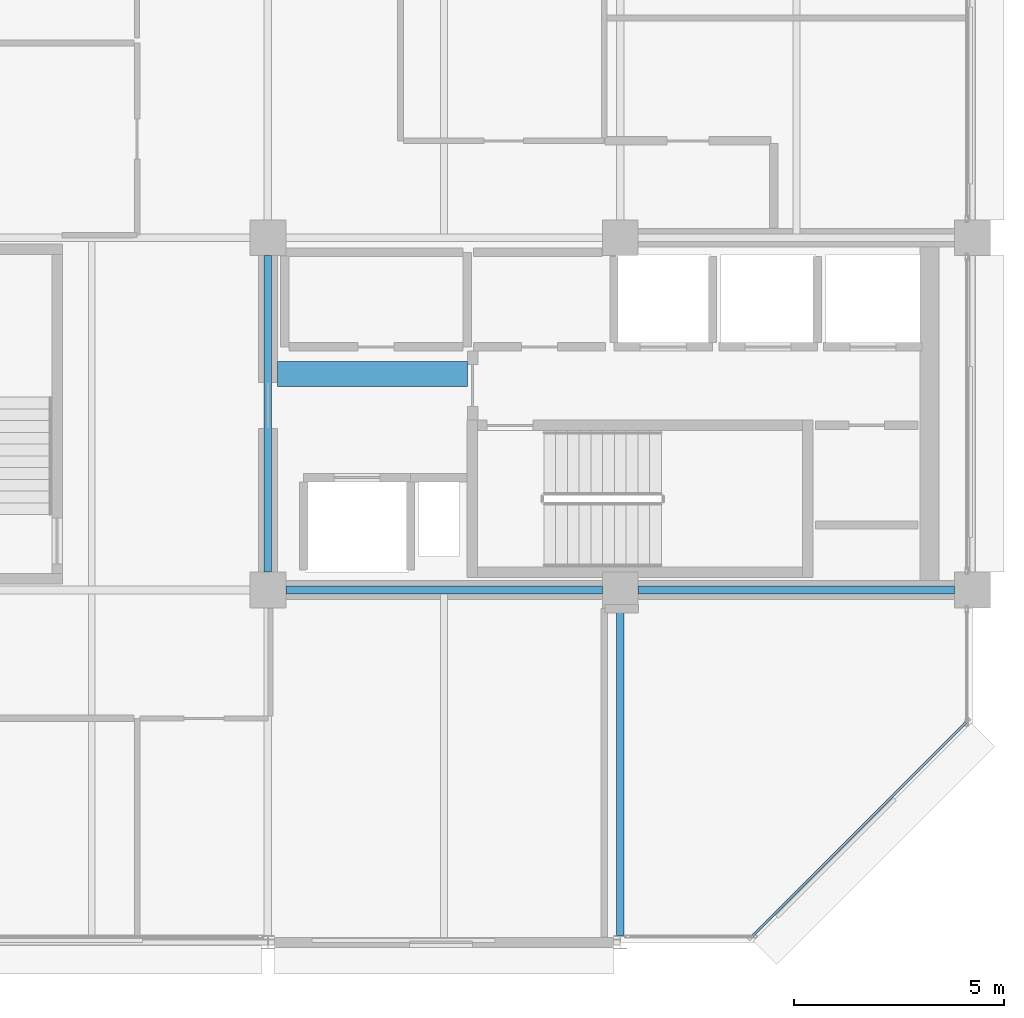
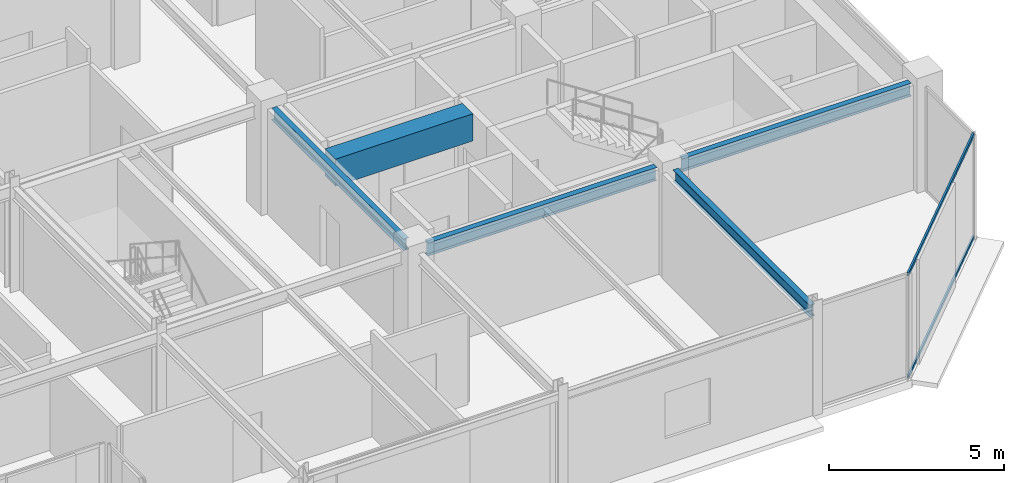
# One storey, part 8 of 25: 5 beams, 2 members, 1 element without a shape of its own.
"""IFC4 building model written with IfcOpenShell, lengths in metres."""

import ifcopenshell
import ifcopenshell.guid

model = None  # the IFC model being written
_history = None  # IfcOwnerHistory: only IFC2X3 demands one
_inside = {}  # id of a spatial element -> (the spatial element, [elements in it])
_under = {}  # id of a project, library or spatial element -> (it, [spatial elements below it])
_declared = {}  # id of a project -> (the project, [libraries it declares])
_typed = {}  # id of a type object -> (the type object, [elements of that type])
_made_of = {}  # id of a material, layer set ... -> (it, [elements and type objects made of it])


def new_model(schema):
    """Start an empty IFC model of exactly this schema.

    Asked for "IFC4X3", IfcOpenShell would pick the latest addendum, in which some entities
    have other attributes; the version numbers below select the first issue.
    IFC2X3 requires an IfcOwnerHistory on every rooted entity: one is made here for all.
    """
    global model, _history
    if schema == "IFC4X3":
        model = ifcopenshell.file(schema_version=(4, 3, 0, 0))
    else:
        model = ifcopenshell.file(schema=schema)
    _inside.clear()
    _under.clear()
    _declared.clear()
    _typed.clear()
    _made_of.clear()
    _history = None
    if model.schema == "IFC2X3":
        org = make("IfcOrganization", Name="unknown")
        user = make(
            "IfcPersonAndOrganization",
            ThePerson=make("IfcPerson", FamilyName="unknown"),
            TheOrganization=org,
        )
        app = make(
            "IfcApplication",
            ApplicationDeveloper=org,
            Version="unknown",
            ApplicationFullName="unknown",
            ApplicationIdentifier="unknown",
        )
        _history = make(
            "IfcOwnerHistory",
            OwningUser=user,
            OwningApplication=app,
            ChangeAction="ADDED",
            CreationDate=0,
        )
    return model


def make(cls, **values):
    """One entity of the class cls with the attributes given. An attribute that is None is left unset."""
    return model.create_entity(
        cls, **{name: value for name, value in values.items() if value is not None}
    )


def rooted(cls, **values):
    """An entity with a GlobalId (a new one), such as an element, a storey or a relation."""
    return make(cls, GlobalId=ifcopenshell.guid.new(), OwnerHistory=_history, **values)


def si_unit(unit_type, name, prefix=None):
    """IfcSIUnit, for example si_unit("LENGTHUNIT", "METRE", prefix="MILLI")."""
    return make("IfcSIUnit", UnitType=unit_type, Prefix=prefix, Name=name)


def assignment(units):
    """IfcUnitAssignment: the units of a project."""
    return None if units is None else make("IfcUnitAssignment", Units=units)


def point(xyz):
    """IfcCartesianPoint."""
    return None if xyz is None else make("IfcCartesianPoint", Coordinates=xyz)


def direction(xyz):
    """IfcDirection."""
    return None if xyz is None else make("IfcDirection", DirectionRatios=xyz)


def frame(location, z_axis=None, x_axis=None):
    """IfcAxis2Placement3D, a coordinate frame: its origin and axes. An axis left out is left unset."""
    return make(
        "IfcAxis2Placement3D",
        Location=point(location),
        Axis=direction(z_axis),
        RefDirection=direction(x_axis),
    )


def frame_2d(location, x_axis=None):
    """IfcAxis2Placement2D, a coordinate frame in the plane: its origin and x axis."""
    return make(
        "IfcAxis2Placement2D", Location=point(location), RefDirection=direction(x_axis)
    )


def origin():
    """The frame at (0, 0, 0) with its axes left unset."""
    return frame((0.0, 0.0, 0.0))


def origin_2d():
    """The frame at (0, 0) in the plane with its x axis left unset."""
    return frame_2d((0.0, 0.0))


def place(relative_to, where):
    """IfcLocalPlacement: puts the frame where relative to a parent placement (None: the world)."""
    return make(
        "IfcLocalPlacement", PlacementRelTo=relative_to, RelativePlacement=where
    )


def context(
    kind, dimensions, precision=None, world=None, true_north=None, identifier=None
):
    """IfcGeometricRepresentationContext, for example the 3D "Model" context."""
    return make(
        "IfcGeometricRepresentationContext",
        ContextIdentifier=identifier,
        ContextType=kind,
        CoordinateSpaceDimension=dimensions,
        Precision=precision,
        WorldCoordinateSystem=world,
        TrueNorth=true_north,
    )


def subcontext(parent, identifier, kind, view, scale=None):
    """IfcGeometricRepresentationSubContext, for example "Body" below "Model"."""
    return make(
        "IfcGeometricRepresentationSubContext",
        ContextIdentifier=identifier,
        ContextType=kind,
        ParentContext=parent,
        TargetScale=scale,
        TargetView=view,
    )


def project(units=None, contexts=None):
    """IfcProject with its units and contexts."""
    return rooted(
        "IfcProject",
        Name="project",
        RepresentationContexts=contexts,
        UnitsInContext=assignment(units),
    )


def spatial(cls, under=None, at=None, **own):
    """A site, building, storey or space (cls), placed at a placement, below another one or the project."""
    s = rooted(cls, ObjectPlacement=at, **own)
    if under is not None:
        _under.setdefault(under.id(), (under, []))[1].append(s)
    return s


def profile(cls, at=None, kind="AREA", **sizes):
    """A parametric profile (cls). Its sizes go by their IFC names, for example OverallWidth=200.0."""
    return make(cls, ProfileType=kind, Position=at, **sizes)


def rectangle(**sizes):
    """IfcRectangleProfileDef."""
    return profile("IfcRectangleProfileDef", **sizes)


def hollow_rectangle(**sizes):
    """IfcRectangleHollowProfileDef."""
    return profile("IfcRectangleHollowProfileDef", **sizes)


def i_section(**sizes):
    """IfcIShapeProfileDef."""
    return profile("IfcIShapeProfileDef", **sizes)


def extrude(swept, where, along, depth):
    """IfcExtrudedAreaSolid: the profile swept, set in the frame where, extruded along a direction by depth."""
    return make(
        "IfcExtrudedAreaSolid",
        SweptArea=swept,
        Position=where,
        ExtrudedDirection=direction(along),
        Depth=depth,
    )


def shape(context_of_items, identifier, shape_type, items):
    """IfcShapeRepresentation: the items that make up one representation, for example the "Body"."""
    return make(
        "IfcShapeRepresentation",
        ContextOfItems=context_of_items,
        RepresentationIdentifier=identifier,
        RepresentationType=shape_type,
        Items=items,
    )


def material(Name=None, Category=None):
    """IfcMaterial."""
    return make("IfcMaterial", Name=Name, Category=Category)


def layer(
    of_material, thickness, ventilated=None, Name=None, Category=None, Priority=None
):
    """IfcMaterialLayer: one layer of a wall or slab, of a material (None: an air gap)."""
    return make(
        "IfcMaterialLayer",
        Material=of_material,
        LayerThickness=thickness,
        IsVentilated=ventilated,
        Name=Name,
        Category=Category,
        Priority=Priority,
    )


def layer_set(layers, Name=None):
    """IfcMaterialLayerSet."""
    return make("IfcMaterialLayerSet", MaterialLayers=layers, LayerSetName=Name)


def material_profile(
    of_material, cross_section, Name=None, Category=None, Priority=None
):
    """IfcMaterialProfile: a cross section and its material."""
    return make(
        "IfcMaterialProfile",
        Name=Name,
        Material=of_material,
        Profile=cross_section,
        Priority=Priority,
        Category=Category,
    )


def profile_set(profiles, Name=None, composite=None):
    """IfcMaterialProfileSet."""
    return make(
        "IfcMaterialProfileSet",
        Name=Name,
        MaterialProfiles=profiles,
        CompositeProfile=composite,
    )


def made_of(thing, what):
    """Note that an element or type object is made of a material, layer set ...; save() writes the relation."""
    if what is not None:
        _made_of.setdefault(what.id(), (what, []))[1].append(thing)
    return thing


def type_object(cls, material=None, **own):
    """A type object (cls), such as IfcWallType, which elements share."""
    return made_of(rooted(cls, **own), material)


def element(
    cls,
    number,
    at=None,
    inside=None,
    cuts=None,
    type_object=None,
    material=None,
    context=None,
    identifier="Body",
    shape_type=None,
    held_by="IfcProductDefinitionShape",
    body=None,
    shapes=None,
    **own,
):
    """One element of the class cls, such as IfcWall. Its Tag is "e" and its number.

    at: its placement. inside: the storey or other place that contains it. cuts: it is an
    opening in that element (IfcRelVoidsElement). A single representation is given by context,
    identifier, shape_type and body (its items); several are given by shapes. held_by: the class
    of the entity that holds the representations. save() writes the other relations.
    """
    e = rooted(cls, Tag="e%d" % number, ObjectPlacement=at, **own)
    if body is not None:
        shapes = [shape(context, identifier, shape_type, body)]
    if shapes is not None:
        e.Representation = make(held_by, Representations=shapes)
    if inside is not None:
        _inside.setdefault(inside.id(), (inside, []))[1].append(e)
    if cuts is not None:
        rooted(
            "IfcRelVoidsElement", RelatingBuildingElement=cuts, RelatedOpeningElement=e
        )
    if type_object is not None:
        _typed.setdefault(type_object.id(), (type_object, []))[1].append(e)
    return made_of(e, material)


def aggregate(whole, parts):
    """IfcRelAggregates: a whole, such as a stair, and the parts it consists of."""
    return rooted("IfcRelAggregates", RelatingObject=whole, RelatedObjects=parts)


def save(model, path):
    """Write the relations noted so far, then the file.

    IfcRelAggregates (storeys below a building ...), IfcRelContainedInSpatialStructure (elements
    in a storey), IfcRelDefinesByType, IfcRelAssociatesMaterial and IfcRelDeclares: one each for
    every whole, place, type object, material and project.
    """
    for whole, parts in _under.values():
        aggregate(whole, parts)
    for where, things in _inside.values():
        rooted(
            "IfcRelContainedInSpatialStructure",
            RelatedElements=things,
            RelatingStructure=where,
        )
    for kind, things in _typed.values():
        rooted("IfcRelDefinesByType", RelatedObjects=things, RelatingType=kind)
    for what, things in _made_of.values():
        rooted("IfcRelAssociatesMaterial", RelatedObjects=things, RelatingMaterial=what)
    for by, libraries in _declared.values():
        rooted("IfcRelDeclares", RelatingContext=by, RelatedDefinitions=libraries)
    model.write(path)


model = new_model("IFC4")

# Units and contexts
model_context = context("Model", 3, precision=1e-05, world=origin(), true_north=direction((0.0, 1.0)))
body_context = subcontext(model_context, "Body", "Model", "MODEL_VIEW")
ifc_project = project(units=[si_unit("LENGTHUNIT", "METRE"), si_unit("AREAUNIT", "SQUARE_METRE"), si_unit("VOLUMEUNIT", "CUBIC_METRE"), si_unit("PLANEANGLEUNIT", "RADIAN"), si_unit("MASSUNIT", "GRAM", prefix="KILO")], contexts=[model_context])

# Site, building, storey
site_placement = place(None, origin())
site = spatial("IfcSite", under=ifc_project, at=site_placement, CompositionType="ELEMENT")
building_placement = place(site_placement, origin())
building = spatial("IfcBuilding", under=site, at=building_placement, Name="Nerrivon Quay Data Exchange", CompositionType="ELEMENT")
storey_placement = place(building_placement, frame((0.0, 0.0, 318.199951171875)))
storey = spatial("IfcBuildingStorey", under=building, at=storey_placement, Name="L76", CompositionType="ELEMENT", Elevation=318.199951171875)

# Beams
ifc_material_1 = material(Name="Concrete N50 (50 MPa)", Category="concrete")
ifc_material_profile_1 = material_profile(ifc_material_1, rectangle(XDim=0.60009765625, YDim=0.949951171875, at=origin_2d()), Name="RC-CB-600x950")
ifc_profile_set_1 = profile_set([ifc_material_profile_1], Name="Concrete N50 (50 MPa)")
beam_type_1 = type_object("IfcBeamType", Name="BM-CB2-600x950", PredefinedType="LINTEL", material=ifc_profile_set_1)
beam_1_placement = place(storey_placement, frame((17.02490234375, 13.550048828125, 3.175048828125), z_axis=(1.0, 0.0, 0.0), x_axis=(0.0, 1.0, 0.0)))
element("IfcBeam", 1, at=beam_1_placement, inside=storey, type_object=beam_type_1, Name="L76 East Core Coupling Beam", PredefinedType="LINTEL", context=body_context, shape_type="SweptSolid", body=[
    extrude(rectangle(XDim=0.60009765625, YDim=0.949951171875, at=origin_2d()), origin(), (0.0, 0.0, 1.0), 4.530029296875),
])
ifc_material_2 = material(Name="Steel Grade 350", Category="steel")
ifc_material_profile_2 = material_profile(ifc_material_2, i_section(OverallWidth=0.18994140625, OverallDepth=0.4541015625, WebThickness=0.008544921875, FlangeThickness=0.0126953125, FilletRadius=0.011474609375, at=origin_2d()), Name="460UB67.1")
ifc_profile_set_2 = profile_set([ifc_material_profile_2], Name="Steel Grade 350")
beam_type_2 = type_object("IfcBeamType", Name="BM-G6-460UB67", PredefinedType="BEAM", material=ifc_profile_set_2)
beam_2_placement = place(storey_placement, frame((17.22509765625, 8.39990234375, 3.423095703125), z_axis=(1.0, 0.0, 0.0), x_axis=(0.0, 1.0, 0.0)))
element("IfcBeam", 2, at=beam_2_placement, inside=storey, type_object=beam_type_2, Name="L76 EW Girder Y=8.4 (16.8..25.2)", PredefinedType="BEAM", context=body_context, shape_type="SweptSolid", body=[
    extrude(i_section(OverallWidth=0.18994140625, OverallDepth=0.4541015625, WebThickness=0.008544921875, FlangeThickness=0.0126953125, FilletRadius=0.011474609375, at=origin_2d()), origin(), (0.0, 0.0, 1.0), 7.5498046875),
])
beam_3_placement = place(storey_placement, frame((25.625, 8.39990234375, 3.423095703125), z_axis=(1.0, 0.0, 0.0), x_axis=(0.0, 1.0, 0.0)))
element("IfcBeam", 3, at=beam_3_placement, inside=storey, type_object=beam_type_2, Name="L76 EW Girder Y=8.4 (25.2..33.6)", PredefinedType="BEAM", context=body_context, shape_type="SweptSolid", body=[
    extrude(i_section(OverallWidth=0.18994140625, OverallDepth=0.4541015625, WebThickness=0.008544921875, FlangeThickness=0.0126953125, FilletRadius=0.011474609375, at=origin_2d()), origin(), (0.0, 0.0, 1.0), 7.550048828125),
])
ifc_material_profile_3 = material_profile(ifc_material_2, i_section(OverallWidth=0.177978515625, OverallDepth=0.406005859375, WebThickness=0.0078125, FlangeThickness=0.0126953125, FilletRadius=0.011474609375, at=origin_2d()), Name="410UB59.7")
ifc_profile_set_3 = profile_set([ifc_material_profile_3], Name="Steel Grade 350")
beam_type_3 = type_object("IfcBeamType", Name="BM-J1-410UB60", PredefinedType="JOIST", material=ifc_profile_set_3)
beam_4_placement = place(storey_placement, frame((16.800048828125, 8.824951171875, 3.447021484375), z_axis=(0.0, 1.0, 0.0), x_axis=(-1.0, 0.0, 0.0)))
element("IfcBeam", 4, at=beam_4_placement, inside=storey, type_object=beam_type_3, Name="L76 NS Girder X=16.8 (8.4..16.8)", PredefinedType="JOIST", context=body_context, shape_type="SweptSolid", body=[
    extrude(i_section(OverallWidth=0.177978515625, OverallDepth=0.406005859375, WebThickness=0.0078125, FlangeThickness=0.0126953125, FilletRadius=0.011474609375, at=origin_2d()), origin(), (0.0, 0.0, 1.0), 7.550048828125),
])
beam_5_placement = place(storey_placement, frame((25.199951171875, 0.16357421875, 3.447021484375), z_axis=(0.0, 1.0, 0.0), x_axis=(-1.0, 0.0, 0.0)))
element("IfcBeam", 5, at=beam_5_placement, inside=storey, type_object=beam_type_3, Name="L76 NS Girder X=25.2 (0.0..8.4)", PredefinedType="JOIST", context=body_context, shape_type="SweptSolid", body=[
    extrude(i_section(OverallWidth=0.177978515625, OverallDepth=0.406005859375, WebThickness=0.0078125, FlangeThickness=0.0126953125, FilletRadius=0.011474609375, at=origin_2d()), origin(), (0.0, 0.0, 1.0), 7.8115234375),
])

# Curtain wall, members
ifc_material_3 = material(Name="Anodised aluminium 6063-T6", Category="aluminium")
ifc_layer = layer(ifc_material_3, 0.195068359375)
ifc_layer_set = layer_set([ifc_layer], Name="Anodised aluminium 6063-T6")
curtain_wall_type = type_object("IfcCurtainWallType", Name="CW-SYS-06", PredefinedType="NOTDEFINED", material=ifc_layer_set)
curtain_wall_placement = place(storey_placement, origin())
curtain_wall = element("IfcCurtainWall", 6, at=curtain_wall_placement, inside=storey, type_object=curtain_wall_type, Name="L76 Unitised Curtain Wall 1", PredefinedType="NOTDEFINED")
ifc_material_profile_4 = material_profile(ifc_material_3, hollow_rectangle(XDim=0.06005859375, YDim=0.1201171875, WallThickness=0.003173828125, at=origin_2d()), Name="ALU-TRAN-120x60")
ifc_profile_set_4 = profile_set([ifc_material_profile_4], Name="Anodised aluminium 6063-T6")
member_type = type_object("IfcMemberType", Name="CWT-120x60", PredefinedType="USERDEFINED", material=ifc_profile_set_4)
member_1_placement = place(storey_placement, frame((33.447998046875, 5.245849609375, 0.032470703125), z_axis=(-0.707123726196, -0.707089835771, 0.0), x_axis=(0.707089835771, -0.707123726196, 0.0)))
member_1 = element("IfcMember", 7, at=member_1_placement, type_object=member_type, Name="CW06 transom 1.1", ObjectType="TRANSOM", PredefinedType="USERDEFINED", context=body_context, shape_type="SweptSolid", body=[
    extrude(hollow_rectangle(XDim=0.06005859375, YDim=0.1201171875, WallThickness=0.003173828125, at=origin_2d()), origin(), (0.0, 0.0, 1.0), 7.203857421875),
])
member_2_placement = place(storey_placement, frame((33.447998046875, 5.245849609375, 3.617431640625), z_axis=(-0.707123726196, -0.707089835771, 0.0), x_axis=(0.707089835771, -0.707123726196, 0.0)))
member_2 = element("IfcMember", 8, at=member_2_placement, type_object=member_type, Name="CW06 transom 1.2", ObjectType="TRANSOM", PredefinedType="USERDEFINED", context=body_context, shape_type="SweptSolid", body=[
    extrude(hollow_rectangle(XDim=0.06005859375, YDim=0.1201171875, WallThickness=0.003173828125, at=origin_2d()), origin(), (0.0, 0.0, 1.0), 7.203857421875),
])
aggregate(curtain_wall, [member_1, member_2])

save(model, "model.ifc")
